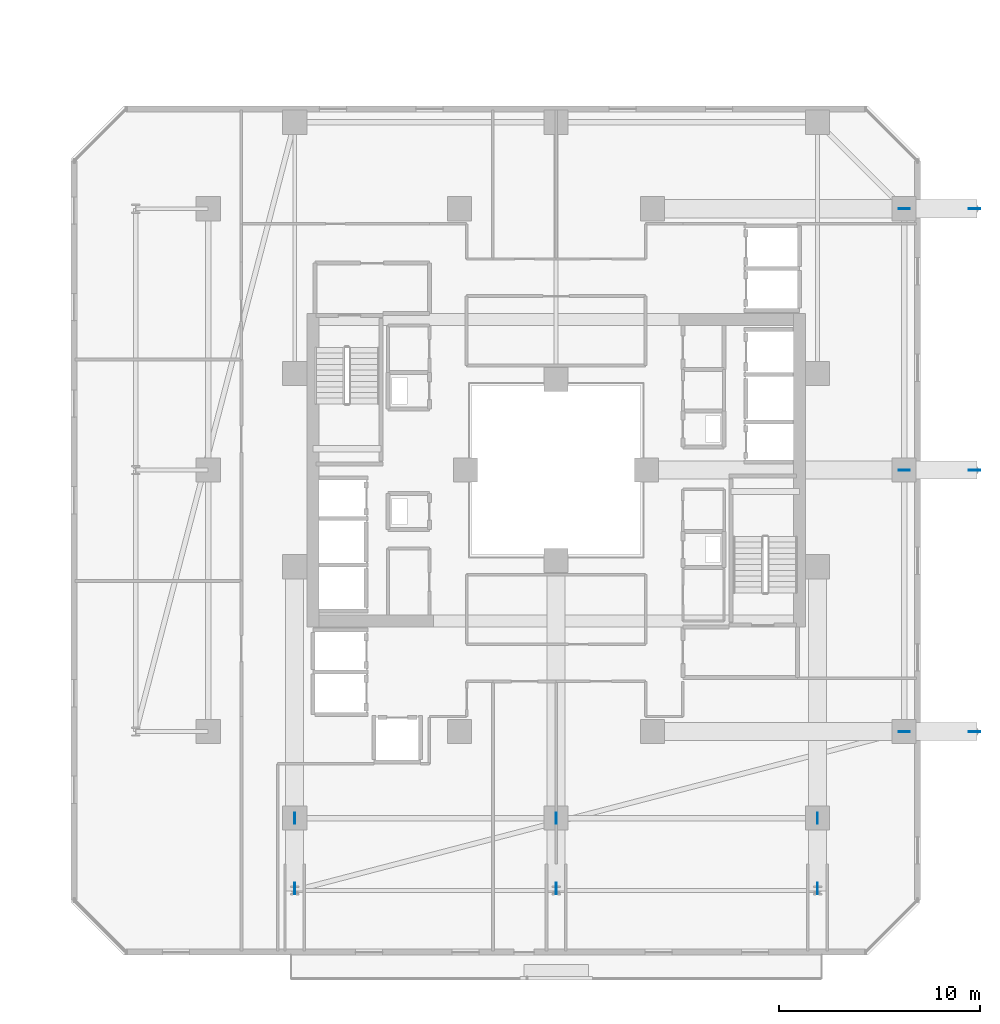
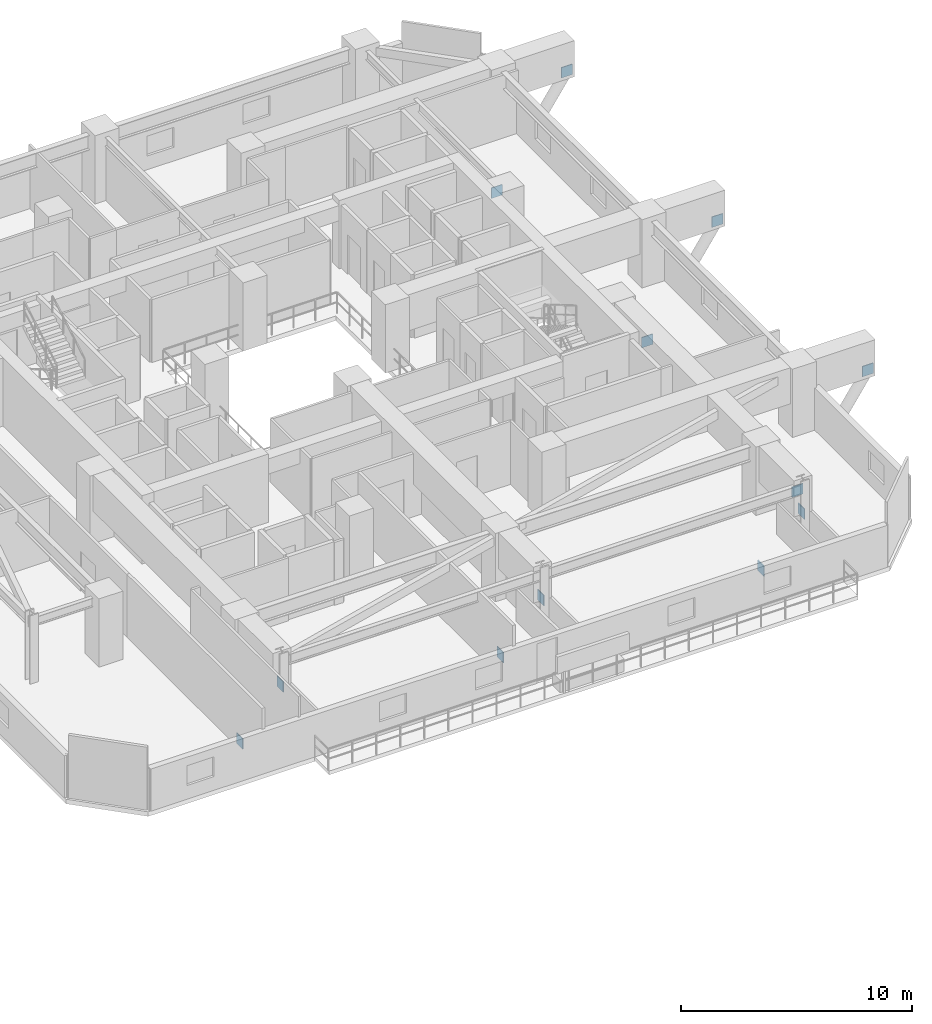
# One storey, part 20 of 36: 12 plates.
"""IFC4 building model written with IfcOpenShell, lengths in metres."""

from ifc_helpers import new_model, si_unit, direction, frame, origin, origin_2d, place, context, subcontext, project, spatial, rectangle, extrude, material, layer, layer_set, type_object, element, save


model = new_model("IFC4")

# Units and contexts
model_context = context("Model", 3, precision=1e-05, world=origin(), true_north=direction((0.0, 1.0)))
body_context = subcontext(model_context, "Body", "Model", "MODEL_VIEW")
ifc_project = project(units=[si_unit("LENGTHUNIT", "METRE"), si_unit("AREAUNIT", "SQUARE_METRE"), si_unit("VOLUMEUNIT", "CUBIC_METRE"), si_unit("PLANEANGLEUNIT", "RADIAN"), si_unit("MASSUNIT", "GRAM", prefix="KILO")], contexts=[model_context])

# Site, building, storey
site_placement = place(None, origin())
site = spatial("IfcSite", under=ifc_project, at=site_placement, CompositionType="ELEMENT")
building_placement = place(site_placement, origin())
building = spatial("IfcBuilding", under=site, at=building_placement, Name="Thornwick Lancets Civic Towers", CompositionType="ELEMENT")
storey_placement = place(building_placement, frame((0.0, 0.0, 116.10009765625)))
storey = spatial("IfcBuildingStorey", under=building, at=storey_placement, Name="L30", CompositionType="ELEMENT", Elevation=116.10009765625)

# Plates
ifc_material = material(Name="Steel S460M", Category="steel")
ifc_layer = layer(ifc_material, 0.0400390625, Name="Steel S460M")
ifc_layer_set = layer_set([ifc_layer], Name="Steel S460M")
plate_type = type_object("IfcPlateType", Name="PLT_GUSSET_40", PredefinedType="USERDEFINED", material=ifc_layer_set)
for number, where, z_axis, x_axis, name in (
    (1, (105.800048828125, 14.0, -3.625), (0.0, 0.0, 1.0), (1.0, 0.0, 0.0), "L30 Brace Connection Gusset Plate 0167"),
    (2, (109.300048828125, 14.0, 1.5048828125), (0.0, 0.0, 1.0), (1.0, 0.0, 0.0), "L30 Brace Connection Gusset Plate 0168"),
    (3, (105.800048828125, 27.0, -3.625), (0.0, 0.0, 1.0), (1.0, 0.0, 0.0), "L30 Brace Connection Gusset Plate 0169"),
    (4, (109.300048828125, 27.0, 1.5048828125), (0.0, 0.0, 1.0), (1.0, 0.0, 0.0), "L30 Brace Connection Gusset Plate 0170"),
    (5, (105.800048828125, 40.0, -3.625), (0.0, 0.0, 1.0), (1.0, 0.0, 0.0), "L30 Brace Connection Gusset Plate 0171"),
    (6, (109.300048828125, 40.0, 1.5048828125), (0.0, 0.0, 1.0), (1.0, 0.0, 0.0), "L30 Brace Connection Gusset Plate 0172"),
    (7, (101.5, 9.699951171875, -3.625), (0.0, 0.0, 1.0), (0.0, -1.0, 0.0), "L30 Brace Connection Gusset Plate 0173"),
    (8, (101.5, 6.199951171875, 1.5048828125), (0.0, 0.0, 1.0), (0.0, -1.0, 0.0), "L30 Brace Connection Gusset Plate 0174"),
    (9, (88.5, 9.699951171875, -3.625), (0.0, 0.0, 1.0), (0.0, -1.0, 0.0), "L30 Brace Connection Gusset Plate 0175"),
    (10, (88.5, 6.199951171875, 1.5048828125), (0.0, 0.0, 1.0), (0.0, -1.0, 0.0), "L30 Brace Connection Gusset Plate 0176"),
    (11, (75.5, 9.699951171875, -3.625), (0.0, 0.0, 1.0), (0.0, -1.0, 0.0), "L30 Brace Connection Gusset Plate 0177"),
    (12, (75.5, 6.199951171875, 1.5048828125), (0.0, 0.0, 1.0), (0.0, -1.0, 0.0), "L30 Brace Connection Gusset Plate 0178"),
):
    element("IfcPlate", number, at=place(storey_placement, frame(where, z_axis=z_axis, x_axis=x_axis)), inside=storey, type_object=plate_type, Name=name, ObjectType="GUSSET_PLATE", PredefinedType="USERDEFINED", context=body_context, shape_type="SweptSolid", body=[
        extrude(rectangle(XDim=0.550048828125, YDim=0.0400390625, at=origin_2d()), origin(), (0.0, 0.0, 1.0), 0.550048828125),
    ])

save(model, "model.ifc")
